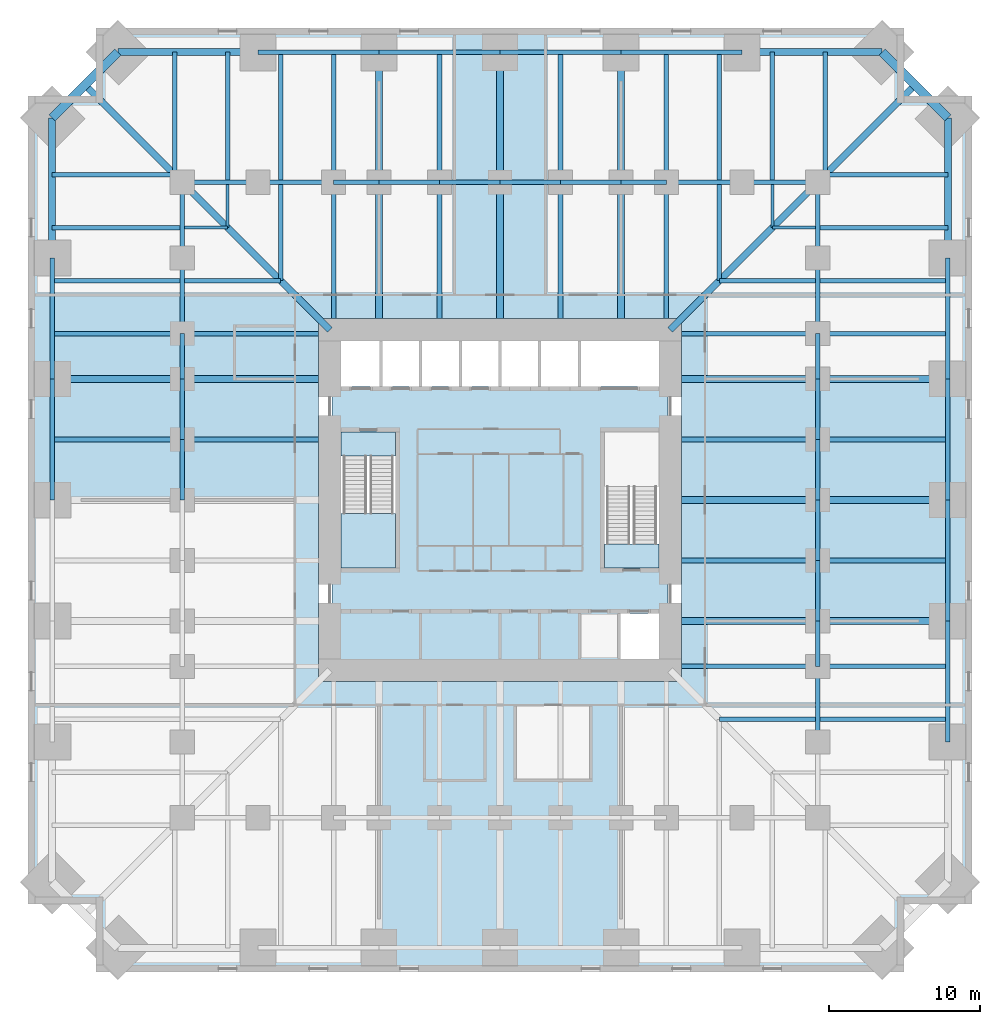
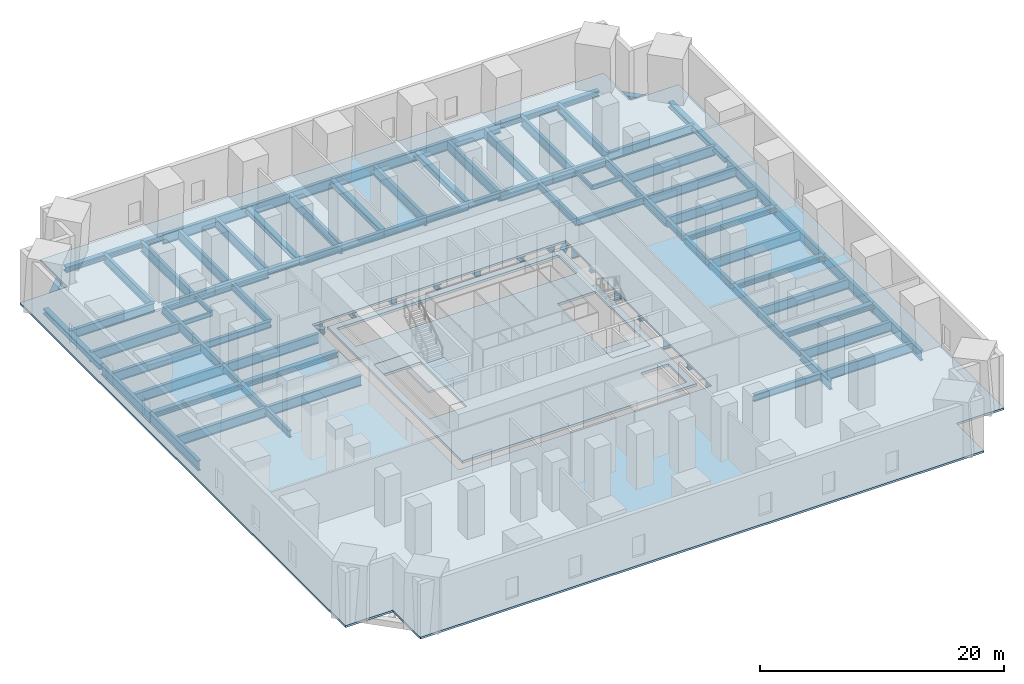
# One storey, part 2 of 8: 100 beams, 5 slabs, 2 elements without a shape of their own.
"""IFC4 building model written with IfcOpenShell, lengths in metres."""

from ifc_helpers import new_model, si_unit, direction, frame, origin, origin_2d, place, context, subcontext, project, spatial, polyline, hollow_rectangle, i_section, outline, extrude, material, layer, layer_set, material_profile, profile_set, type_object, element, aggregate, save


model = new_model("IFC4")

# Units and contexts
model_context = context("Model", 3, precision=1e-05, world=origin(), true_north=direction((0.0, 1.0)))
body_context = subcontext(model_context, "Body", "Model", "MODEL_VIEW")
ifc_project = project(units=[si_unit("LENGTHUNIT", "METRE"), si_unit("AREAUNIT", "SQUARE_METRE"), si_unit("VOLUMEUNIT", "CUBIC_METRE"), si_unit("PLANEANGLEUNIT", "RADIAN"), si_unit("MASSUNIT", "GRAM", prefix="KILO")], contexts=[model_context])

# Site, building, storey
site_placement = place(None, origin())
site = spatial("IfcSite", under=ifc_project, at=site_placement, CompositionType="ELEMENT")
building_placement = place(site_placement, origin())
building = spatial("IfcBuilding", under=site, at=building_placement, Name="Peilmerk Tower", CompositionType="ELEMENT")
storey_placement = place(building_placement, frame((0.0, 0.0, 32.0)))
storey = spatial("IfcBuildingStorey", under=building, at=storey_placement, Name="L06", CompositionType="ELEMENT", Elevation=32.0)

# Beams
ifc_material_1 = material(Name="Steel S355", Category="steel")
ifc_material_profile_1 = material_profile(ifc_material_1, i_section(OverallWidth=0.302001953125, OverallDepth=1.008056640625, WebThickness=0.02099609375, FlangeThickness=0.0400390625, at=origin_2d()), Name="HEM 1000")
ifc_profile_set_1 = profile_set([ifc_material_profile_1], Name="Steel S355")
beam_type_1 = type_object("IfcBeamType", Name="B1 HEM 1000 edge beam", PredefinedType="SPANDREL", material=ifc_profile_set_1)
for number, where, z_axis, x_axis, name in (
    (1, (16.0, 29.6064453125, -0.7041015625), (-1.0, 0.0, 0.0), (0.0, -1.0, 0.0), "Edge beam L06"),
    (2, (8.0, 29.6064453125, -0.7041015625), (-1.0, 0.0, 0.0), (0.0, -1.0, 0.0), "Edge beam L06"),
    (3, (0.0, 29.6064453125, -0.7041015625), (-1.0, 0.0, 0.0), (0.0, -1.0, 0.0), "Edge beam L06"),
    (4, (-8.0, 29.6064453125, -0.7041015625), (-1.0, 0.0, 0.0), (0.0, -1.0, 0.0), "Edge beam L06"),
    (5, (29.6064453125, -16.0, -0.7041015625), (0.0, 1.0, 0.0), (-1.0, 0.0, 0.0), "Edge beam L06"),
    (6, (29.6064453125, -8.0, -0.7041015625), (0.0, 1.0, 0.0), (-1.0, 0.0, 0.0), "Edge beam L06"),
    (7, (29.6064453125, 0.0, -0.7041015625), (0.0, 1.0, 0.0), (-1.0, 0.0, 0.0), "Edge beam L06"),
    (8, (29.6064453125, 8.0, -0.7041015625), (0.0, 1.0, 0.0), (-1.0, 0.0, 0.0), "Edge beam L06"),
    (9, (-29.6064453125, 16.0, -0.7041015625), (0.0, -1.0, 0.0), (1.0, 0.0, 0.0), "Edge beam L06"),
    (10, (-29.6064453125, 8.0, -0.7041015625), (0.0, -1.0, 0.0), (1.0, 0.0, 0.0), "Edge beam L06"),
):
    element("IfcBeam", number, at=place(storey_placement, frame(where, z_axis=z_axis, x_axis=x_axis)), inside=storey, type_object=beam_type_1, Name=name, PredefinedType="SPANDREL", context=body_context, shape_type="SweptSolid", body=[
        extrude(i_section(OverallWidth=0.302001953125, OverallDepth=1.008056640625, WebThickness=0.02099609375, FlangeThickness=0.0400390625, at=origin_2d()), origin(), (0.0, 0.0, 1.0), 8.0),
    ])
ifc_material_profile_2 = material_profile(ifc_material_1, i_section(OverallWidth=0.300048828125, OverallDepth=0.989990234375, WebThickness=0.0166015625, FlangeThickness=0.031005859375, at=origin_2d()), Name="HEA 1000")
ifc_profile_set_2 = profile_set([ifc_material_profile_2], Name="Steel S355")
beam_type_2 = type_object("IfcBeamType", Name="B14 HEA 1000 floor girder", PredefinedType="BEAM", material=ifc_profile_set_2)
for number, where, z_axis, x_axis, name in (
    (11, (11.0, 21.0, -0.695068359375), (0.0, 1.0, 0.0), (-1.0, 0.0, 0.0), "Floor beam L06"),
    (12, (4.0, 21.0, -0.695068359375), (0.0, 1.0, 0.0), (-1.0, 0.0, 0.0), "Floor beam L06"),
    (13, (-4.0, 21.0, -0.695068359375), (0.0, 1.0, 0.0), (-1.0, 0.0, 0.0), "Floor beam L06"),
    (14, (-11.0, 21.0, -0.695068359375), (0.0, 1.0, 0.0), (-1.0, 0.0, 0.0), "Floor beam L06"),
    (15, (21.0, -11.0, -0.695068359375), (1.0, 0.0, 0.0), (0.0, 1.0, 0.0), "Floor beam L06"),
    (16, (21.0, -4.0, -0.695068359375), (1.0, 0.0, 0.0), (0.0, 1.0, 0.0), "Floor beam L06"),
    (17, (21.0, 4.0, -0.695068359375), (1.0, 0.0, 0.0), (0.0, 1.0, 0.0), "Floor beam L06"),
    (18, (21.0, 11.0, -0.695068359375), (1.0, 0.0, 0.0), (0.0, 1.0, 0.0), "Floor beam L06"),
    (19, (-21.0, 11.0, -0.695068359375), (-1.0, 0.0, 0.0), (0.0, -1.0, 0.0), "Floor beam L06"),
    (20, (-21.0, 4.0, -0.695068359375), (-1.0, 0.0, 0.0), (0.0, -1.0, 0.0), "Floor beam L06"),
):
    element("IfcBeam", number, at=place(storey_placement, frame(where, z_axis=z_axis, x_axis=x_axis)), inside=storey, type_object=beam_type_2, Name=name, PredefinedType="BEAM", context=body_context, shape_type="SweptSolid", body=[
        extrude(i_section(OverallWidth=0.300048828125, OverallDepth=0.989990234375, WebThickness=0.0166015625, FlangeThickness=0.031005859375, at=origin_2d()), origin(), (0.0, 0.0, 1.0), 8.6064453125),
    ])
for number, where, z_axis, x_axis, name in (
    (21, (14.5, 21.15087890625, -0.695068359375), (0.0, 1.0, 0.0), (-1.0, 0.0, 0.0), "Floor beam L06"),
    (22, (21.15087890625, 14.5, -0.695068359375), (1.0, 0.0, 0.0), (0.0, 1.0, 0.0), "Floor beam L06"),
    (23, (18.0, 21.15087890625, -0.695068359375), (0.0, 1.0, 0.0), (-1.0, 0.0, 0.0), "Floor beam L06"),
    (24, (21.15087890625, 18.0, -0.695068359375), (1.0, 0.0, 0.0), (0.0, 1.0, 0.0), "Floor beam L06"),
    (25, (21.15087890625, -14.5, -0.695068359375), (1.0, 0.0, 0.0), (0.0, 1.0, 0.0), "Floor beam L06"),
    (26, (-14.5, 21.15087890625, -0.695068359375), (0.0, 1.0, 0.0), (-1.0, 0.0, 0.0), "Floor beam L06"),
    (27, (-21.15087890625, 14.5, -0.695068359375), (-1.0, 0.0, 0.0), (0.0, -1.0, 0.0), "Floor beam L06"),
    (28, (-18.0, 21.15087890625, -0.695068359375), (0.0, 1.0, 0.0), (-1.0, 0.0, 0.0), "Floor beam L06"),
    (29, (-21.15087890625, 18.0, -0.695068359375), (-1.0, 0.0, 0.0), (0.0, -1.0, 0.0), "Floor beam L06"),
):
    element("IfcBeam", number, at=place(storey_placement, frame(where, z_axis=z_axis, x_axis=x_axis)), inside=storey, type_object=beam_type_2, Name=name, PredefinedType="BEAM", context=body_context, shape_type="SweptSolid", body=[
        extrude(i_section(OverallWidth=0.300048828125, OverallDepth=0.989990234375, WebThickness=0.0166015625, FlangeThickness=0.031005859375, at=origin_2d()), origin(), (0.0, 0.0, 1.0), 8.45556640625),
    ])
ifc_material_profile_3 = material_profile(ifc_material_1, i_section(OverallWidth=0.300048828125, OverallDepth=0.68994140625, WebThickness=0.014404296875, FlangeThickness=0.027099609375, at=origin_2d()), Name="HEA 700")
ifc_profile_set_3 = profile_set([ifc_material_profile_3], Name="Steel S355")
beam_type_3 = type_object("IfcBeamType", Name="B16 HEA 700 floor beam", PredefinedType="BEAM", material=ifc_profile_set_3)
for number, where, z_axis, x_axis, name in (
    (30, (14.5, 14.5, -0.544921875), (0.0, 1.0, 0.0), (-1.0, 0.0, 0.0), "Floor beam L06"),
    (31, (14.5, 14.5, -0.544921875), (1.0, 0.0, 0.0), (0.0, 1.0, 0.0), "Floor beam L06"),
    (32, (14.5, -14.5, -0.544921875), (1.0, 0.0, 0.0), (0.0, 1.0, 0.0), "Floor beam L06"),
    (33, (-14.5, 14.5, -0.544921875), (0.0, 1.0, 0.0), (-1.0, 0.0, 0.0), "Floor beam L06"),
    (34, (-14.5, 14.5, -0.544921875), (-1.0, 0.0, 0.0), (0.0, -1.0, 0.0), "Floor beam L06"),
):
    element("IfcBeam", number, at=place(storey_placement, frame(where, z_axis=z_axis, x_axis=x_axis)), inside=storey, type_object=beam_type_3, Name=name, PredefinedType="BEAM", context=body_context, shape_type="SweptSolid", body=[
        extrude(i_section(OverallWidth=0.300048828125, OverallDepth=0.68994140625, WebThickness=0.014404296875, FlangeThickness=0.027099609375, at=origin_2d()), origin(), (0.0, 0.0, 1.0), 6.34912109375),
    ])
ifc_material_2 = material(Name="Steel S460", Category="steel")
ifc_material_profile_4 = material_profile(ifc_material_2, i_section(OverallWidth=0.4541015625, OverallDepth=0.569091796875, WebThickness=0.077880859375, FlangeThickness=0.125, at=origin_2d()), Name="HD 400x1086")
ifc_profile_set_4 = profile_set([ifc_material_profile_4], Name="Steel S460")
beam_type_4 = type_object("IfcBeamType", Name="B17 HD 400x1086 edge beam", PredefinedType="SPANDREL", material=ifc_profile_set_4)
for number, where, z_axis, x_axis, name in (
    (35, (25.25634765625, 29.6064453125, -0.484619140625), (-1.0, 0.0, 0.0), (0.0, -1.0, 0.0), "Edge beam L06"),
    (36, (-16.0, 29.6064453125, -0.484619140625), (-1.0, 0.0, 0.0), (0.0, -1.0, 0.0), "Edge beam L06"),
    (37, (29.6064453125, 16.0, -0.484619140625), (0.0, 1.0, 0.0), (-1.0, 0.0, 0.0), "Edge beam L06"),
    (38, (-29.6064453125, 25.25634765625, -0.484619140625), (0.0, -1.0, 0.0), (1.0, 0.0, 0.0), "Edge beam L06"),
):
    element("IfcBeam", number, at=place(storey_placement, frame(where, z_axis=z_axis, x_axis=x_axis)), inside=storey, type_object=beam_type_4, Name=name, PredefinedType="SPANDREL", context=body_context, shape_type="SweptSolid", body=[
        extrude(i_section(OverallWidth=0.4541015625, OverallDepth=0.569091796875, WebThickness=0.077880859375, FlangeThickness=0.125, at=origin_2d()), origin(), (0.0, 0.0, 1.0), 9.25634765625),
    ])
ifc_material_profile_5 = material_profile(ifc_material_1, i_section(OverallWidth=0.302001953125, OverallDepth=0.909912109375, WebThickness=0.02099609375, FlangeThickness=0.0400390625, at=origin_2d()), Name="HEM 900")
ifc_profile_set_5 = profile_set([ifc_material_profile_5], Name="Steel S355")
beam_type_5 = type_object("IfcBeamType", Name="B18 HEM 900 ring girder", PredefinedType="BEAM", material=ifc_profile_set_5)
for number, where, z_axis, x_axis, name in (
    (39, (21.0, 21.0, -0.655029296875), (-1.0, 0.0, 0.0), (0.0, -1.0, 0.0), "Ring girder L06"),
    (40, (16.0, 21.0, -0.655029296875), (-1.0, 0.0, 0.0), (0.0, -1.0, 0.0), "Ring girder L06"),
    (41, (-11.0, 21.0, -0.655029296875), (-1.0, 0.0, 0.0), (0.0, -1.0, 0.0), "Ring girder L06"),
    (42, (-16.0, 21.0, -0.655029296875), (-1.0, 0.0, 0.0), (0.0, -1.0, 0.0), "Ring girder L06"),
    (43, (21.0, -16.0, -0.655029296875), (0.0, 1.0, 0.0), (-1.0, 0.0, 0.0), "Ring girder L06"),
    (44, (21.0, 11.0, -0.655029296875), (0.0, 1.0, 0.0), (-1.0, 0.0, 0.0), "Ring girder L06"),
    (45, (21.0, 16.0, -0.655029296875), (0.0, 1.0, 0.0), (-1.0, 0.0, 0.0), "Ring girder L06"),
    (46, (-21.0, 21.0, -0.655029296875), (0.0, -1.0, 0.0), (1.0, 0.0, 0.0), "Ring girder L06"),
    (47, (-21.0, 16.0, -0.655029296875), (0.0, -1.0, 0.0), (1.0, 0.0, 0.0), "Ring girder L06"),
):
    element("IfcBeam", number, at=place(storey_placement, frame(where, z_axis=z_axis, x_axis=x_axis)), inside=storey, type_object=beam_type_5, Name=name, PredefinedType="BEAM", context=body_context, shape_type="SweptSolid", body=[
        extrude(i_section(OverallWidth=0.302001953125, OverallDepth=0.909912109375, WebThickness=0.02099609375, FlangeThickness=0.0400390625, at=origin_2d()), origin(), (0.0, 0.0, 1.0), 5.0),
    ])
ifc_material_profile_6 = material_profile(ifc_material_1, i_section(OverallWidth=0.303955078125, OverallDepth=0.716064453125, WebThickness=0.02099609375, FlangeThickness=0.0400390625, at=origin_2d()), Name="HEM 700")
ifc_profile_set_6 = profile_set([ifc_material_profile_6], Name="Steel S355")
beam_type_6 = type_object("IfcBeamType", Name="B19 HEM 700 ring girder", PredefinedType="BEAM", material=ifc_profile_set_6)
for number, where, z_axis, x_axis, name in (
    (48, (8.0, 21.0, -0.55810546875), (-1.0, 0.0, 0.0), (0.0, -1.0, 0.0), "Ring girder L06"),
    (49, (4.0, 21.0, -0.55810546875), (-1.0, 0.0, 0.0), (0.0, -1.0, 0.0), "Ring girder L06"),
    (50, (0.0, 21.0, -0.55810546875), (-1.0, 0.0, 0.0), (0.0, -1.0, 0.0), "Ring girder L06"),
    (51, (-4.0, 21.0, -0.55810546875), (-1.0, 0.0, 0.0), (0.0, -1.0, 0.0), "Ring girder L06"),
    (52, (21.0, -8.0, -0.55810546875), (0.0, 1.0, 0.0), (-1.0, 0.0, 0.0), "Ring girder L06"),
    (53, (21.0, -4.0, -0.55810546875), (0.0, 1.0, 0.0), (-1.0, 0.0, 0.0), "Ring girder L06"),
    (54, (21.0, 0.0, -0.55810546875), (0.0, 1.0, 0.0), (-1.0, 0.0, 0.0), "Ring girder L06"),
    (55, (21.0, 4.0, -0.55810546875), (0.0, 1.0, 0.0), (-1.0, 0.0, 0.0), "Ring girder L06"),
    (56, (-21.0, 8.0, -0.55810546875), (0.0, -1.0, 0.0), (1.0, 0.0, 0.0), "Ring girder L06"),
    (57, (-21.0, 4.0, -0.55810546875), (0.0, -1.0, 0.0), (1.0, 0.0, 0.0), "Ring girder L06"),
):
    element("IfcBeam", number, at=place(storey_placement, frame(where, z_axis=z_axis, x_axis=x_axis)), inside=storey, type_object=beam_type_6, Name=name, PredefinedType="BEAM", context=body_context, shape_type="SweptSolid", body=[
        extrude(i_section(OverallWidth=0.303955078125, OverallDepth=0.716064453125, WebThickness=0.02099609375, FlangeThickness=0.0400390625, at=origin_2d()), origin(), (0.0, 0.0, 1.0), 4.0),
    ])
ifc_material_profile_7 = material_profile(ifc_material_2, hollow_rectangle(XDim=0.60009765625, YDim=0.60009765625, WallThickness=0.06005859375, at=origin_2d()), Name="BOX 600x600x60")
ifc_profile_set_7 = profile_set([ifc_material_profile_7], Name="Steel S460")
beam_type_7 = type_object("IfcBeamType", Name="B20 BOX 600x600x60 notch beam", PredefinedType="SPANDREL", material=ifc_profile_set_7)
for number, where, z_axis, x_axis, name in (
    (58, (25.25634765625, 29.6064453125, -0.5), (0.707106781187, -0.707106781187, 0.0), (0.707106781187, 0.707106781187, 0.0), "Notch beam L06"),
    (59, (-29.6064453125, 25.25634765625, -0.5), (0.707106781187, 0.707106781187, 0.0), (-0.707106781187, 0.707106781187, 0.0), "Notch beam L06"),
):
    element("IfcBeam", number, at=place(storey_placement, frame(where, z_axis=z_axis, x_axis=x_axis)), inside=storey, type_object=beam_type_7, Name=name, PredefinedType="SPANDREL", context=body_context, shape_type="SweptSolid", body=[
        extrude(hollow_rectangle(XDim=0.60009765625, YDim=0.60009765625, WallThickness=0.06005859375, at=origin_2d()), origin(), (0.0, 0.0, 1.0), 6.15185546875),
    ])
ifc_material_profile_8 = material_profile(ifc_material_1, i_section(OverallWidth=0.18994140625, OverallDepth=0.449951171875, WebThickness=0.009521484375, FlangeThickness=0.0146484375, at=origin_2d()), Name="IPE 450")
ifc_profile_set_8 = profile_set([ifc_material_profile_8], Name="Steel S355")
beam_type_8 = type_object("IfcBeamType", Name="B21 IPE 450 floor beam", PredefinedType="BEAM", material=ifc_profile_set_8)
for number, where, z_axis, x_axis, name in (
    (60, (18.0, 18.0, -0.425048828125), (0.0, 1.0, 0.0), (-1.0, 0.0, 0.0), "Floor beam L06"),
    (61, (18.0, 18.0, -0.425048828125), (1.0, 0.0, 0.0), (0.0, 1.0, 0.0), "Floor beam L06"),
    (62, (-18.0, 18.0, -0.425048828125), (0.0, 1.0, 0.0), (-1.0, 0.0, 0.0), "Floor beam L06"),
    (63, (-18.0, 18.0, -0.425048828125), (-1.0, 0.0, 0.0), (0.0, -1.0, 0.0), "Floor beam L06"),
):
    element("IfcBeam", number, at=place(storey_placement, frame(where, z_axis=z_axis, x_axis=x_axis)), inside=storey, type_object=beam_type_8, Name=name, PredefinedType="BEAM", context=body_context, shape_type="SweptSolid", body=[
        extrude(i_section(OverallWidth=0.18994140625, OverallDepth=0.449951171875, WebThickness=0.009521484375, FlangeThickness=0.0146484375, at=origin_2d()), origin(), (0.0, 0.0, 1.0), 2.84912109375),
    ])
ifc_material_profile_9 = material_profile(ifc_material_1, i_section(OverallWidth=0.300048828125, OverallDepth=0.889892578125, WebThickness=0.01611328125, FlangeThickness=0.030029296875, at=origin_2d()), Name="HEA 900")
ifc_profile_set_9 = profile_set([ifc_material_profile_9], Name="Steel S355")
beam_type_9 = type_object("IfcBeamType", Name="B4 HEA 900 floor beam", PredefinedType="BEAM", material=ifc_profile_set_9)
for number, where, z_axis, x_axis, name in (
    (64, (21.5, 21.5, -0.64501953125), (0.0, 1.0, 0.0), (-1.0, 0.0, 0.0), "Floor beam L06"),
    (65, (21.5, 21.5, -0.64501953125), (1.0, 0.0, 0.0), (0.0, 1.0, 0.0), "Floor beam L06"),
    (66, (-21.5, 21.5, -0.64501953125), (0.0, 1.0, 0.0), (-1.0, 0.0, 0.0), "Floor beam L06"),
    (67, (-21.5, 21.5, -0.64501953125), (-1.0, 0.0, 0.0), (0.0, -1.0, 0.0), "Floor beam L06"),
):
    element("IfcBeam", number, at=place(storey_placement, frame(where, z_axis=z_axis, x_axis=x_axis)), inside=storey, type_object=beam_type_9, Name=name, PredefinedType="BEAM", context=body_context, shape_type="SweptSolid", body=[
        extrude(i_section(OverallWidth=0.300048828125, OverallDepth=0.889892578125, WebThickness=0.01611328125, FlangeThickness=0.030029296875, at=origin_2d()), origin(), (0.0, 0.0, 1.0), 8.1064453125),
    ])
ifc_material_profile_10 = material_profile(ifc_material_1, i_section(OverallWidth=0.300048828125, OverallDepth=1.0, WebThickness=0.01904296875, FlangeThickness=0.035888671875, at=origin_2d()), Name="HEB 1000")
ifc_profile_set_10 = profile_set([ifc_material_profile_10], Name="Steel S355")
beam_type_10 = type_object("IfcBeamType", Name="B5 HEB 1000 floor girder", PredefinedType="BEAM", material=ifc_profile_set_10)
for number, where, z_axis, x_axis, name in (
    (68, (11.0, 12.0, -0.699951171875), (0.0, 1.0, 0.0), (-1.0, 0.0, 0.0), "Floor beam L06"),
    (69, (4.0, 12.0, -0.699951171875), (0.0, 1.0, 0.0), (-1.0, 0.0, 0.0), "Floor beam L06"),
    (70, (-4.0, 12.0, -0.699951171875), (0.0, 1.0, 0.0), (-1.0, 0.0, 0.0), "Floor beam L06"),
    (71, (-11.0, 12.0, -0.699951171875), (0.0, 1.0, 0.0), (-1.0, 0.0, 0.0), "Floor beam L06"),
    (72, (12.0, -11.0, -0.699951171875), (1.0, 0.0, 0.0), (0.0, 1.0, 0.0), "Floor beam L06"),
    (73, (12.0, -4.0, -0.699951171875), (1.0, 0.0, 0.0), (0.0, 1.0, 0.0), "Floor beam L06"),
    (74, (12.0, 4.0, -0.699951171875), (1.0, 0.0, 0.0), (0.0, 1.0, 0.0), "Floor beam L06"),
    (75, (12.0, 11.0, -0.699951171875), (1.0, 0.0, 0.0), (0.0, 1.0, 0.0), "Floor beam L06"),
    (76, (-12.0, 11.0, -0.699951171875), (-1.0, 0.0, 0.0), (0.0, -1.0, 0.0), "Floor beam L06"),
    (77, (-12.0, 4.0, -0.699951171875), (-1.0, 0.0, 0.0), (0.0, -1.0, 0.0), "Floor beam L06"),
):
    element("IfcBeam", number, at=place(storey_placement, frame(where, z_axis=z_axis, x_axis=x_axis)), inside=storey, type_object=beam_type_10, Name=name, PredefinedType="BEAM", context=body_context, shape_type="SweptSolid", body=[
        extrude(i_section(OverallWidth=0.300048828125, OverallDepth=1.0, WebThickness=0.01904296875, FlangeThickness=0.035888671875, at=origin_2d()), origin(), (0.0, 0.0, 1.0), 9.0),
    ])
ifc_material_profile_11 = material_profile(ifc_material_1, i_section(OverallWidth=0.304931640625, OverallDepth=0.6201171875, WebThickness=0.02099609375, FlangeThickness=0.0400390625, at=origin_2d()), Name="HEM 600")
ifc_profile_set_11 = profile_set([ifc_material_profile_11], Name="Steel S355")
beam_type_11 = type_object("IfcBeamType", Name="B6 HEM 600 ring girder", PredefinedType="BEAM", material=ifc_profile_set_11)
for number, where, z_axis, x_axis, name in (
    (78, (11.0, 21.0, -0.510009765625), (-1.0, 0.0, 0.0), (0.0, -1.0, 0.0), "Ring girder L06"),
    (79, (-8.0, 21.0, -0.510009765625), (-1.0, 0.0, 0.0), (0.0, -1.0, 0.0), "Ring girder L06"),
    (80, (21.0, -11.0, -0.510009765625), (0.0, 1.0, 0.0), (-1.0, 0.0, 0.0), "Ring girder L06"),
    (81, (21.0, 8.0, -0.510009765625), (0.0, 1.0, 0.0), (-1.0, 0.0, 0.0), "Ring girder L06"),
    (82, (-21.0, 11.0, -0.510009765625), (0.0, -1.0, 0.0), (1.0, 0.0, 0.0), "Ring girder L06"),
):
    element("IfcBeam", number, at=place(storey_placement, frame(where, z_axis=z_axis, x_axis=x_axis)), inside=storey, type_object=beam_type_11, Name=name, PredefinedType="BEAM", context=body_context, shape_type="SweptSolid", body=[
        extrude(i_section(OverallWidth=0.304931640625, OverallDepth=0.6201171875, WebThickness=0.02099609375, FlangeThickness=0.0400390625, at=origin_2d()), origin(), (0.0, 0.0, 1.0), 3.0),
    ])
ifc_material_profile_12 = material_profile(ifc_material_2, i_section(OverallWidth=0.4541015625, OverallDepth=0.569091796875, WebThickness=0.077880859375, FlangeThickness=0.125, at=origin_2d()), Name="HD 400x1086")
ifc_profile_set_12 = profile_set([ifc_material_profile_12], Name="Steel S460")
beam_type_12 = type_object("IfcBeamType", Name="B9 HD 400x1086 corner girder", PredefinedType="BEAM", material=ifc_profile_set_12)
beam_1_placement = place(storey_placement, frame((8.0, 12.0, -0.484619140625), z_axis=(0.0, 1.0, 0.0), x_axis=(-1.0, 0.0, 0.0)))
element("IfcBeam", 83, at=beam_1_placement, inside=storey, type_object=beam_type_12, Name="Floor girder L06", PredefinedType="BEAM", context=body_context, shape_type="SweptSolid", body=[
    extrude(i_section(OverallWidth=0.4541015625, OverallDepth=0.569091796875, WebThickness=0.077880859375, FlangeThickness=0.125, at=origin_2d()), origin(), (0.0, 0.0, 1.0), 9.0),
])
beam_2_placement = place(storey_placement, frame((8.0, 21.0, -0.484619140625), z_axis=(0.0, 1.0, 0.0), x_axis=(-1.0, 0.0, 0.0)))
element("IfcBeam", 84, at=beam_2_placement, inside=storey, type_object=beam_type_12, Name="Floor girder L06", PredefinedType="BEAM", context=body_context, shape_type="SweptSolid", body=[
    extrude(i_section(OverallWidth=0.4541015625, OverallDepth=0.569091796875, WebThickness=0.077880859375, FlangeThickness=0.125, at=origin_2d()), origin(), (0.0, 0.0, 1.0), 8.6064453125),
])
beam_3_placement = place(storey_placement, frame((0.0, 12.0, -0.484619140625), z_axis=(0.0, 1.0, 0.0), x_axis=(-1.0, 0.0, 0.0)))
element("IfcBeam", 85, at=beam_3_placement, inside=storey, type_object=beam_type_12, Name="Floor girder L06", PredefinedType="BEAM", context=body_context, shape_type="SweptSolid", body=[
    extrude(i_section(OverallWidth=0.4541015625, OverallDepth=0.569091796875, WebThickness=0.077880859375, FlangeThickness=0.125, at=origin_2d()), origin(), (0.0, 0.0, 1.0), 9.0),
])
beam_4_placement = place(storey_placement, frame((0.0, 21.0, -0.484619140625), z_axis=(0.0, 1.0, 0.0), x_axis=(-1.0, 0.0, 0.0)))
element("IfcBeam", 86, at=beam_4_placement, inside=storey, type_object=beam_type_12, Name="Floor girder L06", PredefinedType="BEAM", context=body_context, shape_type="SweptSolid", body=[
    extrude(i_section(OverallWidth=0.4541015625, OverallDepth=0.569091796875, WebThickness=0.077880859375, FlangeThickness=0.125, at=origin_2d()), origin(), (0.0, 0.0, 1.0), 8.6064453125),
])
beam_5_placement = place(storey_placement, frame((-8.0, 12.0, -0.484619140625), z_axis=(0.0, 1.0, 0.0), x_axis=(-1.0, 0.0, 0.0)))
element("IfcBeam", 87, at=beam_5_placement, inside=storey, type_object=beam_type_12, Name="Floor girder L06", PredefinedType="BEAM", context=body_context, shape_type="SweptSolid", body=[
    extrude(i_section(OverallWidth=0.4541015625, OverallDepth=0.569091796875, WebThickness=0.077880859375, FlangeThickness=0.125, at=origin_2d()), origin(), (0.0, 0.0, 1.0), 9.0),
])
beam_6_placement = place(storey_placement, frame((-8.0, 21.0, -0.484619140625), z_axis=(0.0, 1.0, 0.0), x_axis=(-1.0, 0.0, 0.0)))
element("IfcBeam", 88, at=beam_6_placement, inside=storey, type_object=beam_type_12, Name="Floor girder L06", PredefinedType="BEAM", context=body_context, shape_type="SweptSolid", body=[
    extrude(i_section(OverallWidth=0.4541015625, OverallDepth=0.569091796875, WebThickness=0.077880859375, FlangeThickness=0.125, at=origin_2d()), origin(), (0.0, 0.0, 1.0), 8.6064453125),
])
beam_7_placement = place(storey_placement, frame((12.0, -8.0, -0.484619140625), z_axis=(1.0, 0.0, 0.0), x_axis=(0.0, 1.0, 0.0)))
element("IfcBeam", 89, at=beam_7_placement, inside=storey, type_object=beam_type_12, Name="Floor girder L06", PredefinedType="BEAM", context=body_context, shape_type="SweptSolid", body=[
    extrude(i_section(OverallWidth=0.4541015625, OverallDepth=0.569091796875, WebThickness=0.077880859375, FlangeThickness=0.125, at=origin_2d()), origin(), (0.0, 0.0, 1.0), 9.0),
])
beam_8_placement = place(storey_placement, frame((21.0, -8.0, -0.484619140625), z_axis=(1.0, 0.0, 0.0), x_axis=(0.0, 1.0, 0.0)))
element("IfcBeam", 90, at=beam_8_placement, inside=storey, type_object=beam_type_12, Name="Floor girder L06", PredefinedType="BEAM", context=body_context, shape_type="SweptSolid", body=[
    extrude(i_section(OverallWidth=0.4541015625, OverallDepth=0.569091796875, WebThickness=0.077880859375, FlangeThickness=0.125, at=origin_2d()), origin(), (0.0, 0.0, 1.0), 8.6064453125),
])
beam_9_placement = place(storey_placement, frame((12.0, 0.0, -0.484619140625), z_axis=(1.0, 0.0, 0.0), x_axis=(0.0, 1.0, 0.0)))
element("IfcBeam", 91, at=beam_9_placement, inside=storey, type_object=beam_type_12, Name="Floor girder L06", PredefinedType="BEAM", context=body_context, shape_type="SweptSolid", body=[
    extrude(i_section(OverallWidth=0.4541015625, OverallDepth=0.569091796875, WebThickness=0.077880859375, FlangeThickness=0.125, at=origin_2d()), origin(), (0.0, 0.0, 1.0), 9.0),
])
beam_10_placement = place(storey_placement, frame((21.0, 0.0, -0.484619140625), z_axis=(1.0, 0.0, 0.0), x_axis=(0.0, 1.0, 0.0)))
element("IfcBeam", 92, at=beam_10_placement, inside=storey, type_object=beam_type_12, Name="Floor girder L06", PredefinedType="BEAM", context=body_context, shape_type="SweptSolid", body=[
    extrude(i_section(OverallWidth=0.4541015625, OverallDepth=0.569091796875, WebThickness=0.077880859375, FlangeThickness=0.125, at=origin_2d()), origin(), (0.0, 0.0, 1.0), 8.6064453125),
])
beam_11_placement = place(storey_placement, frame((12.0, 8.0, -0.484619140625), z_axis=(1.0, 0.0, 0.0), x_axis=(0.0, 1.0, 0.0)))
element("IfcBeam", 93, at=beam_11_placement, inside=storey, type_object=beam_type_12, Name="Floor girder L06", PredefinedType="BEAM", context=body_context, shape_type="SweptSolid", body=[
    extrude(i_section(OverallWidth=0.4541015625, OverallDepth=0.569091796875, WebThickness=0.077880859375, FlangeThickness=0.125, at=origin_2d()), origin(), (0.0, 0.0, 1.0), 9.0),
])
beam_12_placement = place(storey_placement, frame((21.0, 8.0, -0.484619140625), z_axis=(1.0, 0.0, 0.0), x_axis=(0.0, 1.0, 0.0)))
element("IfcBeam", 94, at=beam_12_placement, inside=storey, type_object=beam_type_12, Name="Floor girder L06", PredefinedType="BEAM", context=body_context, shape_type="SweptSolid", body=[
    extrude(i_section(OverallWidth=0.4541015625, OverallDepth=0.569091796875, WebThickness=0.077880859375, FlangeThickness=0.125, at=origin_2d()), origin(), (0.0, 0.0, 1.0), 8.6064453125),
])
beam_13_placement = place(storey_placement, frame((-12.0, 8.0, -0.484619140625), z_axis=(-1.0, 0.0, 0.0), x_axis=(0.0, -1.0, 0.0)))
element("IfcBeam", 95, at=beam_13_placement, inside=storey, type_object=beam_type_12, Name="Floor girder L06", PredefinedType="BEAM", context=body_context, shape_type="SweptSolid", body=[
    extrude(i_section(OverallWidth=0.4541015625, OverallDepth=0.569091796875, WebThickness=0.077880859375, FlangeThickness=0.125, at=origin_2d()), origin(), (0.0, 0.0, 1.0), 9.0),
])
beam_14_placement = place(storey_placement, frame((-21.0, 8.0, -0.484619140625), z_axis=(-1.0, 0.0, 0.0), x_axis=(0.0, -1.0, 0.0)))
element("IfcBeam", 96, at=beam_14_placement, inside=storey, type_object=beam_type_12, Name="Floor girder L06", PredefinedType="BEAM", context=body_context, shape_type="SweptSolid", body=[
    extrude(i_section(OverallWidth=0.4541015625, OverallDepth=0.569091796875, WebThickness=0.077880859375, FlangeThickness=0.125, at=origin_2d()), origin(), (0.0, 0.0, 1.0), 8.6064453125),
])
beam_15_placement = place(storey_placement, frame((11.25, 11.25, -0.484619140625), z_axis=(0.707106781187, 0.707106781187, 0.0), x_axis=(-0.707106781187, 0.707106781187, 0.0)))
element("IfcBeam", 97, at=beam_15_placement, inside=storey, type_object=beam_type_12, Name="Corner girder L06", PredefinedType="BEAM", context=body_context, shape_type="SweptSolid", body=[
    extrude(i_section(OverallWidth=0.4541015625, OverallDepth=0.569091796875, WebThickness=0.077880859375, FlangeThickness=0.125, at=origin_2d()), origin(), (0.0, 0.0, 1.0), 13.78857421875),
])
beam_16_placement = place(storey_placement, frame((21.0, 21.0, -0.484619140625), z_axis=(0.707106781187, 0.707106781187, 0.0), x_axis=(-0.707106781187, 0.707106781187, 0.0)))
element("IfcBeam", 98, at=beam_16_placement, inside=storey, type_object=beam_type_12, Name="Corner girder L06", PredefinedType="BEAM", context=body_context, shape_type="SweptSolid", body=[
    extrude(i_section(OverallWidth=0.4541015625, OverallDepth=0.569091796875, WebThickness=0.077880859375, FlangeThickness=0.125, at=origin_2d()), origin(), (0.0, 0.0, 1.0), 9.095458984375),
])
beam_17_placement = place(storey_placement, frame((-11.25, 11.25, -0.484619140625), z_axis=(-0.707106781187, 0.707106781187, 0.0), x_axis=(-0.707106781187, -0.707106781187, 0.0)))
element("IfcBeam", 99, at=beam_17_placement, inside=storey, type_object=beam_type_12, Name="Corner girder L06", PredefinedType="BEAM", context=body_context, shape_type="SweptSolid", body=[
    extrude(i_section(OverallWidth=0.4541015625, OverallDepth=0.569091796875, WebThickness=0.077880859375, FlangeThickness=0.125, at=origin_2d()), origin(), (0.0, 0.0, 1.0), 13.78857421875),
])
beam_18_placement = place(storey_placement, frame((-21.0, 21.0, -0.484619140625), z_axis=(-0.707106781187, 0.707106781187, 0.0), x_axis=(-0.707106781187, -0.707106781187, 0.0)))
element("IfcBeam", 100, at=beam_18_placement, inside=storey, type_object=beam_type_12, Name="Corner girder L06", PredefinedType="BEAM", context=body_context, shape_type="SweptSolid", body=[
    extrude(i_section(OverallWidth=0.4541015625, OverallDepth=0.569091796875, WebThickness=0.077880859375, FlangeThickness=0.125, at=origin_2d()), origin(), (0.0, 0.0, 1.0), 9.095458984375),
])

# Slabs
ifc_material_3 = material(Name="Concrete C55/67", Category="concrete")
ifc_layer_1 = layer(ifc_material_3, 0.25)
ifc_layer_set_1 = layer_set([ifc_layer_1], Name="Concrete C55/67")
slab_type_1 = type_object("IfcSlabType", Name="CS250 250 core floor slab", PredefinedType="FLOOR", material=ifc_layer_set_1)
slab_1_placement = place(storey_placement, frame((0.0, 0.0, -0.25)))
element("IfcSlab", 101, at=slab_1_placement, inside=storey, type_object=slab_type_1, Name="Core slab L06", PredefinedType="FLOOR", context=body_context, shape_type="SweptSolid", body=[
    extrude(outline(polyline([(-11.10009765625, 11.10009765625), (-11.10009765625, -11.10009765625), (11.10009765625, -11.10009765625), (11.10009765625, 11.10009765625), (-11.10009765625, 11.10009765625)]), holes=[polyline([(10.5, 7.5), (-10.5, 7.5), (-10.5, 10.5), (10.5, 10.5), (10.5, 7.5)]), polyline([(7.875, -10.5), (7.875, -7.5), (10.5, -7.5), (10.5, -10.5), (7.875, -10.5)]), polyline([(-10.5, 4.5), (-6.89990234375, 4.5), (-6.89990234375, -4.5), (-10.5, -4.5), (-10.5, 4.5)]), polyline([(10.5, 4.5), (10.5, -4.5), (6.89990234375, -4.5), (6.89990234375, 4.5), (10.5, 4.5)])]), origin(), (0.0, 0.0, 1.0), 0.25),
])
ifc_material_4 = material(Name="Concrete C35/45", Category="concrete")
ifc_layer_2 = layer(ifc_material_4, 0.199951171875)
ifc_layer_set_2 = layer_set([ifc_layer_2], Name="Concrete C35/45")
slab_type_2 = type_object("IfcSlabType", Name="FS200 200 composite floor slab", PredefinedType="FLOOR", material=ifc_layer_set_2)
slab_2_placement = place(storey_placement, frame((0.0, 0.0, -0.199951171875)))
element("IfcSlab", 102, at=slab_2_placement, inside=storey, type_object=slab_type_2, Name="Floor slab L06", PredefinedType="FLOOR", context=body_context, shape_type="SweptSolid", body=[
    extrude(outline(polyline([(-26.699951171875, -31.199951171875), (26.699951171875, -31.199951171875), (26.699951171875, -26.699951171875), (31.199951171875, -26.699951171875), (31.199951171875, 26.699951171875), (26.699951171875, 26.699951171875), (26.699951171875, 31.199951171875), (-26.699951171875, 31.199951171875), (-26.699951171875, 26.699951171875), (-31.199951171875, 26.699951171875), (-31.199951171875, -26.699951171875), (-26.699951171875, -26.699951171875), (-26.699951171875, -31.199951171875)]), holes=[polyline([(12.0, 12.0), (12.0, -12.0), (-12.0, -12.0), (-12.0, 12.0), (12.0, 12.0)])]), origin(), (0.0, 0.0, 1.0), 0.199951171875),
])

# Stair, slabs
ifc_material_5 = material(Name="Precast concrete C45/55", Category="concrete")
stair_type_1 = type_object("IfcStairType", Name="ST1 30 risers of 183.3", PredefinedType="HALF_TURN_STAIR", material=ifc_material_5)
stair_1_placement = place(storey_placement, origin())
stair_1 = element("IfcStair", 103, at=stair_1_placement, inside=storey, type_object=stair_type_1, Name="Stair 1 L06 to L07", PredefinedType="HALF_TURN_STAIR")
ifc_layer_3 = layer(ifc_material_4, 0.199951171875)
ifc_layer_set_3 = layer_set([ifc_layer_3], Name="Concrete C35/45")
slab_type_3 = type_object("IfcSlabType", Name="SL1 200 concrete stair landing", PredefinedType="LANDING", material=ifc_layer_set_3)
slab_3_placement = place(storey_placement, frame((0.0, 0.0, 2.550048828125)))
slab_3 = element("IfcSlab", 104, at=slab_3_placement, type_object=slab_type_3, Name="ST1 landing 1", PredefinedType="LANDING", context=body_context, shape_type="SweptSolid", body=[
    extrude(outline(polyline([(-10.5, -4.5), (-6.89990234375, -4.5), (-6.89990234375, -0.8798828125), (-10.5, -0.8798828125), (-10.5, -4.5)])), origin(), (0.0, 0.0, 1.0), 0.199951171875),
])
ifc_layer_4 = layer(ifc_material_4, 0.25)
ifc_layer_set_4 = layer_set([ifc_layer_4], Name="Concrete C35/45")
slab_type_4 = type_object("IfcSlabType", Name="SL2 250 concrete floor landing", PredefinedType="LANDING", material=ifc_layer_set_4)
slab_4_placement = place(storey_placement, frame((0.0, 0.0, -0.25)))
slab_4 = element("IfcSlab", 105, at=slab_4_placement, type_object=slab_type_4, Name="ST1 floor landing", PredefinedType="LANDING", context=body_context, shape_type="SweptSolid", body=[
    extrude(outline(polyline([(-10.5, 2.89990234375), (-6.89990234375, 2.89990234375), (-6.89990234375, 4.5), (-10.5, 4.5), (-10.5, 2.89990234375)])), origin(), (0.0, 0.0, 1.0), 0.25),
])
aggregate(stair_1, [slab_3, slab_4])

# Stair, slab
stair_type_2 = type_object("IfcStairType", Name="ST2 30 risers of 183.3", PredefinedType="HALF_TURN_STAIR", material=ifc_material_5)
stair_2_placement = place(storey_placement, origin())
stair_2 = element("IfcStair", 106, at=stair_2_placement, inside=storey, type_object=stair_type_2, Name="Stair 2 L06 to L07", PredefinedType="HALF_TURN_STAIR")
slab_5_placement = place(storey_placement, frame((0.0, 0.0, -0.25)))
slab_5 = element("IfcSlab", 107, at=slab_5_placement, type_object=slab_type_4, Name="ST2 floor landing", PredefinedType="LANDING", context=body_context, shape_type="SweptSolid", body=[
    extrude(outline(polyline([(6.89990234375, -4.5), (10.5, -4.5), (10.5, -2.89990234375), (6.89990234375, -2.89990234375), (6.89990234375, -4.5)])), origin(), (0.0, 0.0, 1.0), 0.25),
])
aggregate(stair_2, [slab_5])

save(model, "model.ifc")
